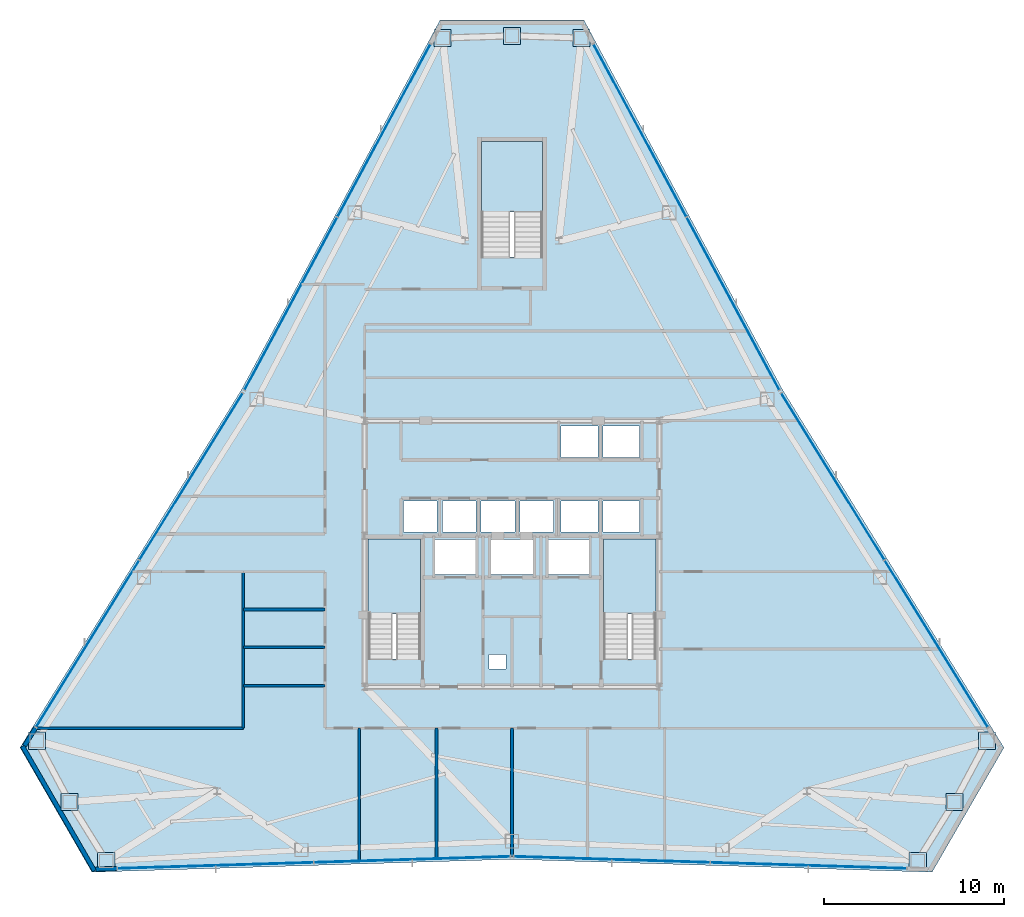
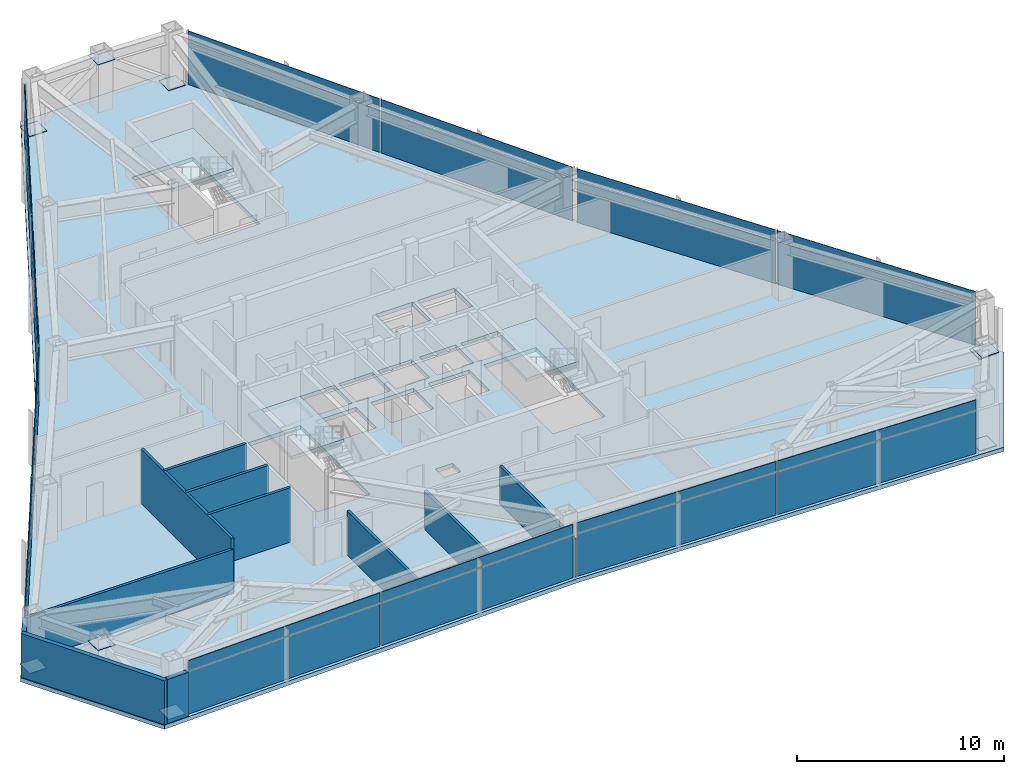
# One storey, part 9 of 13: 33 plates, 11 walls, 4 slabs, 9 elements without a shape of their own.
"""IFC4 building model written with IfcOpenShell, lengths in metres."""

from ifc_helpers import new_model, si_unit, direction, frame, frame_2d, origin, origin_2d, place, context, subcontext, project, spatial, polyline, rectangle, outline, extrude, source, transform, mapped, material, layer, layer_set, type_object, type_shapes, element, aggregate, save


model = new_model("IFC4")

# Units and contexts
model_context = context("Model", 3, precision=1e-05, world=origin(), true_north=direction((0.0, 1.0)))
body_context = subcontext(model_context, "Body", "Model", "MODEL_VIEW")
ifc_project = project(units=[si_unit("LENGTHUNIT", "METRE"), si_unit("AREAUNIT", "SQUARE_METRE"), si_unit("VOLUMEUNIT", "CUBIC_METRE"), si_unit("PLANEANGLEUNIT", "RADIAN"), si_unit("MASSUNIT", "GRAM", prefix="KILO")], contexts=[model_context])

# Site, building, storey
site_placement = place(None, origin())
site = spatial("IfcSite", under=ifc_project, at=site_placement, CompositionType="ELEMENT")
building_placement = place(site_placement, origin())
building = spatial("IfcBuilding", under=site, at=building_placement, Name="Varakhsha Concourse Tower", CompositionType="ELEMENT")
storey_placement = place(building_placement, frame((0.0, 0.0, 162.0)))
storey = spatial("IfcBuildingStorey", under=building, at=storey_placement, Name="L46", CompositionType="ELEMENT", Elevation=162.0)

# Slab
ifc_material_1 = material(Name="Concrete fc 45 MPa", Category="concrete")
ifc_layer_1 = layer(ifc_material_1, 0.239990234375, Name="SL-FLR-240")
ifc_layer_set_1 = layer_set([ifc_layer_1], Name="Concrete fc 45 MPa")
slab_type_1 = type_object("IfcSlabType", Name="SL-FLR-240", PredefinedType="FLOOR", material=ifc_layer_set_1)
slab_1_placement = place(storey_placement, frame((0.0, 0.0, -0.239990234375)))
element("IfcSlab", 1, at=slab_1_placement, inside=storey, type_object=slab_type_1, Name="L46 Composite Structural Slab", PredefinedType="FLOOR", context=body_context, shape_type="SweptSolid", body=[
    extrude(outline(polyline([(44.0, 53.49853515625), (36.0, 53.49853515625), (24.931396484375, 32.89990234375), (12.626708984375, 13.014892578125), (16.626708984375, 6.086669921875), (40.0, 6.80029296875), (63.373291015625, 6.086669921875), (67.373291015625, 13.014892578125), (55.068603515625, 32.89990234375), (44.0, 53.49853515625)]), holes=[polyline([(34.919921875, 17.93994140625), (34.919921875, 24.6298828125), (32.0, 24.6298828125), (32.0, 17.93994140625), (34.919921875, 17.93994140625)]), polyline([(48.02001953125, 17.93994140625), (48.02001953125, 24.6298828125), (45.10009765625, 24.6298828125), (45.10009765625, 17.93994140625), (48.02001953125, 17.93994140625)]), polyline([(41.699951171875, 40.300048828125), (41.699951171875, 46.75), (38.300048828125, 46.75), (38.300048828125, 40.300048828125), (41.699951171875, 40.300048828125)]), polyline([(33.9599609375, 25.0), (35.840087890625, 25.0), (35.840087890625, 26.739990234375), (33.9599609375, 26.739990234375), (33.9599609375, 25.0)]), polyline([(36.1201171875, 25.0), (38.0, 25.0), (38.0, 26.739990234375), (36.1201171875, 26.739990234375), (36.1201171875, 25.0)]), polyline([(38.280029296875, 25.0), (40.159912109375, 25.0), (40.159912109375, 26.739990234375), (38.280029296875, 26.739990234375), (38.280029296875, 25.0)]), polyline([(40.43994140625, 25.0), (42.320068359375, 25.0), (42.320068359375, 26.739990234375), (40.43994140625, 26.739990234375), (40.43994140625, 25.0)]), polyline([(42.739990234375, 29.159912109375), (44.780029296875, 29.159912109375), (44.780029296875, 30.89990234375), (42.739990234375, 30.89990234375), (42.739990234375, 29.159912109375)]), polyline([(45.06005859375, 29.159912109375), (47.10009765625, 29.159912109375), (47.10009765625, 30.89990234375), (45.06005859375, 30.89990234375), (45.06005859375, 29.159912109375)]), polyline([(42.739990234375, 25.0), (44.780029296875, 25.0), (44.780029296875, 26.739990234375), (42.739990234375, 26.739990234375), (42.739990234375, 25.0)]), polyline([(45.06005859375, 25.0), (47.10009765625, 25.0), (47.10009765625, 26.739990234375), (45.06005859375, 26.739990234375), (45.06005859375, 25.0)]), polyline([(35.7099609375, 22.639892578125), (37.989990234375, 22.639892578125), (37.989990234375, 24.60009765625), (35.7099609375, 24.60009765625), (35.7099609375, 22.639892578125)]), polyline([(42.010009765625, 22.639892578125), (44.2900390625, 22.639892578125), (44.2900390625, 24.60009765625), (42.010009765625, 24.60009765625), (42.010009765625, 22.639892578125)]), polyline([(38.81005859375, 22.639892578125), (41.18994140625, 22.639892578125), (41.18994140625, 24.60009765625), (38.81005859375, 24.60009765625), (38.81005859375, 22.639892578125)]), polyline([(38.719970703125, 17.39990234375), (39.679931640625, 17.39990234375), (39.679931640625, 18.199951171875), (38.719970703125, 18.199951171875), (38.719970703125, 17.39990234375)])]), origin(), (0.0, 0.0, 1.0), 0.239990234375),
])

# Stair, slab
stair_type_1 = type_object("IfcStairType", Name="ST-DOGLEG-1360", PredefinedType="HALF_TURN_STAIR", material=ifc_material_1)
stair_1_placement = place(storey_placement, origin())
stair_1 = element("IfcStair", 2, at=stair_1_placement, inside=storey, type_object=stair_type_1, Name="L46 Protected Exit Stair ST1", PredefinedType="HALF_TURN_STAIR")
ifc_layer_2 = layer(ifc_material_1, 0.199951171875, Name="SL-LAND-200")
ifc_layer_set_2 = layer_set([ifc_layer_2], Name="Concrete fc 45 MPa")
slab_type_2 = type_object("IfcSlabType", Name="SL-LAND-200", PredefinedType="LANDING", material=ifc_layer_set_2)
slab_2_placement = place(storey_placement, frame((0.0, 0.0, 1.52490234375)))
slab_2 = element("IfcSlab", 3, at=slab_2_placement, type_object=slab_type_2, Name="ST1 landing 1", PredefinedType="LANDING", context=body_context, shape_type="SweptSolid", body=[
    extrude(outline(polyline([(34.919921875, 20.4599609375), (34.919921875, 24.6298828125), (32.0, 24.6298828125), (32.0, 20.4599609375), (34.919921875, 20.4599609375)])), origin(), (0.0, 0.0, 1.0), 0.2001953125),
])
aggregate(stair_1, [slab_2])

stair_2_placement = place(storey_placement, origin())
stair_2 = element("IfcStair", 4, at=stair_2_placement, inside=storey, type_object=stair_type_1, Name="L46 Protected Exit Stair ST2", PredefinedType="HALF_TURN_STAIR")
slab_3_placement = place(storey_placement, frame((0.0, 0.0, 1.52490234375)))
slab_3 = element("IfcSlab", 5, at=slab_3_placement, type_object=slab_type_2, Name="ST2 landing 1", PredefinedType="LANDING", context=body_context, shape_type="SweptSolid", body=[
    extrude(outline(polyline([(48.02001953125, 20.4599609375), (48.02001953125, 24.6298828125), (45.10009765625, 24.6298828125), (45.10009765625, 20.4599609375), (48.02001953125, 20.4599609375)])), origin(), (0.0, 0.0, 1.0), 0.2001953125),
])
aggregate(stair_2, [slab_3])

stair_type_2 = type_object("IfcStairType", Name="ST-DOGLEG-1600", PredefinedType="HALF_TURN_STAIR", material=ifc_material_1)
stair_3_placement = place(storey_placement, origin())
stair_3 = element("IfcStair", 6, at=stair_3_placement, inside=storey, type_object=stair_type_2, Name="L46 Protected Exit Stair ST5", PredefinedType="HALF_TURN_STAIR")
slab_4_placement = place(storey_placement, frame((0.0, 0.0, 1.52490234375)))
slab_4 = element("IfcSlab", 7, at=slab_4_placement, type_object=slab_type_2, Name="ST5 landing 1", PredefinedType="LANDING", context=body_context, shape_type="SweptSolid", body=[
    extrude(outline(polyline([(41.699951171875, 42.820068359375), (41.699951171875, 46.75), (38.300048828125, 46.75), (38.300048828125, 42.820068359375), (41.699951171875, 42.820068359375)])), origin(), (0.0, 0.0, 1.0), 0.2001953125),
])
aggregate(stair_3, [slab_4])

# Plates
ifc_material_2 = material(Name="Structural Steel ASTM A572 Grade 50", Category="steel")
ifc_layer_3 = layer(ifc_material_2, 0.030029296875, Name="PL-ENDCAP-950")
ifc_layer_set_3 = layer_set([ifc_layer_3], Name="Structural Steel ASTM A572 Grade 50")
plate_type_1 = type_object("IfcPlateType", Name="PL-ENDCAP-950", PredefinedType="USERDEFINED", material=ifc_layer_set_3)
shared_shape_1 = source(origin(), body_context, "Body", "SweptSolid", [
    extrude(rectangle(XDim=0.949951171875, YDim=0.949951171875, at=origin_2d()), origin(), (0.0, 0.0, 1.0), 0.030029296875),
])
type_shapes(plate_type_1, [shared_shape_1])
for number, where, z_axis, x_axis, name in (
    (8, (43.863037109375, 52.495849609375, 0.10498046875), (0.0, 0.0, 1.0), (1.0, 0.0, 0.0), "Hollow Section End Cap GP-NODE-L46-0475"),
    (9, (40.0, 52.618408203125, 2.89501953125), (0.0, 0.0, 1.0), (1.0, 0.0, 0.0), "Hollow Section End Cap GP-NODE-L46-0476"),
    (10, (36.136962890625, 52.495849609375, 0.10498046875), (0.0, 0.0, 1.0), (1.0, 0.0, 0.0), "Hollow Section End Cap GP-NODE-L46-0477"),
    (11, (13.563720703125, 13.397705078125, 0.10498046875), (0.0, 0.0, 1.0), (1.0, 0.0, 0.0), "Hollow Section End Cap GP-NODE-L46-0478"),
    (12, (15.388916015625, 9.99072265625, 2.89501953125), (0.0, 0.0, 1.0), (1.0, 0.0, 0.0), "Hollow Section End Cap GP-NODE-L46-0479"),
    (13, (17.4267578125, 6.70654296875, 0.10498046875), (0.0, 0.0, 1.0), (1.0, 0.0, 0.0), "Hollow Section End Cap GP-NODE-L46-0480"),
    (14, (62.5732421875, 6.70654296875, 0.10498046875), (0.0, 0.0, 1.0), (1.0, 0.0, 0.0), "Hollow Section End Cap GP-NODE-L46-0481"),
    (15, (64.611083984375, 9.99072265625, 2.89501953125), (0.0, 0.0, 1.0), (1.0, 0.0, 0.0), "Hollow Section End Cap GP-NODE-L46-0482"),
    (16, (66.436279296875, 13.397705078125, 0.10498046875), (0.0, 0.0, 1.0), (1.0, 0.0, 0.0), "Hollow Section End Cap GP-NODE-L46-0483"),
):
    element("IfcPlate", number, at=place(storey_placement, frame(where, z_axis=z_axis, x_axis=x_axis)), inside=storey, type_object=plate_type_1, Name=name, ObjectType="END PLATE", PredefinedType="USERDEFINED", context=body_context, shape_type="MappedRepresentation", body=[
        mapped(shared_shape_1, transform((0.0, 0.0, 0.0), scale=1.0)),
    ])

# Curtain wall, plates
ifc_material_3 = material(Name="Anodised Bronze Architectural Aluminium AA 6063-T6", Category="aluminium")
ifc_layer_4 = layer(ifc_material_3, 0.2099609375, Name="CW-SYS-04")
ifc_layer_set_4 = layer_set([ifc_layer_4], Name="Anodised Bronze Architectural Aluminium AA 6063-T6")
curtain_wall_type = type_object("IfcCurtainWallType", Name="CW-SYS-04", PredefinedType="NOTDEFINED", material=ifc_layer_set_4)
curtain_wall_1_placement = place(storey_placement, origin())
curtain_wall_1 = element("IfcCurtainWall", 17, at=curtain_wall_1_placement, inside=storey, type_object=curtain_wall_type, Name="L46 Crystal Curtain Wall F2", PredefinedType="NOTDEFINED")
ifc_material_4 = material(Name="Low-E Triple Insulating Glass IGU 44 mm", Category="glass")
ifc_layer_5 = layer(ifc_material_4, 0.0439453125, Name="CWP-IGU-44")
ifc_layer_set_5 = layer_set([ifc_layer_5], Name="Low-E Triple Insulating Glass IGU 44 mm")
plate_type_2 = type_object("IfcPlateType", Name="CWP-IGU-44", PredefinedType="CURTAIN_PANEL", material=ifc_layer_set_5)
shared_shape_2 = source(origin(), body_context, "Body", "SweptSolid", [
    extrude(rectangle(XDim=10.873046875, YDim=0.0439453125, at=origin_2d()), origin(), (0.0, 0.0, 1.0), 2.49609375),
])
type_shapes(plate_type_2, [shared_shape_2])
plate_1_placement = place(storey_placement, frame((27.69970703125, 37.7138671875, 0.031982421875), z_axis=(0.0, 0.0, 1.0), x_axis=(0.473336578986, 0.880881650958, 0.0)))
plate_1 = element("IfcPlate", 18, at=plate_1_placement, type_object=plate_type_2, Name="CW-L46-F2 Panel 00-00", PredefinedType="CURTAIN_PANEL", context=body_context, shape_type="MappedRepresentation", body=[
    mapped(shared_shape_2, transform((0.0, 0.0, 0.0), scale=1.0)),
])
plate_2_placement = place(storey_placement, frame((32.879150390625, 47.3525390625, 0.031982421875), z_axis=(0.0, 0.0, 1.0), x_axis=(0.473336578986, 0.880881650958, 0.0)))
plate_2 = element("IfcPlate", 19, at=plate_2_placement, type_object=plate_type_2, Name="CW-L46-F2 Panel 01-00", PredefinedType="CURTAIN_PANEL", context=body_context, shape_type="MappedRepresentation", body=[
    mapped(shared_shape_2, transform((0.0, 0.0, 0.0), scale=1.0)),
])

curtain_wall_2_placement = place(storey_placement, origin())
curtain_wall_2 = element("IfcCurtainWall", 20, at=curtain_wall_2_placement, inside=storey, type_object=curtain_wall_type, Name="L46 Crystal Curtain Wall F3", PredefinedType="NOTDEFINED")
plate_3_placement = place(storey_placement, frame((16.388916015625, 18.79052734375, 0.031982421875), z_axis=(0.0, 0.0, 1.0), x_axis=(0.526199082126, 0.850361409032, 0.0)))
plate_3 = element("IfcPlate", 21, at=plate_3_placement, type_object=plate_type_2, Name="CW-L46-F3 Panel 00-00", PredefinedType="CURTAIN_PANEL", context=body_context, shape_type="MappedRepresentation", body=[
    mapped(shared_shape_2, transform((0.0, 0.0, 0.0), scale=1.0)),
])
plate_4_placement = place(storey_placement, frame((22.146484375, 28.09521484375, 0.031982421875), z_axis=(0.0, 0.0, 1.0), x_axis=(0.526199082126, 0.850361409032, 0.0)))
plate_4 = element("IfcPlate", 22, at=plate_4_placement, type_object=plate_type_2, Name="CW-L46-F3 Panel 01-00", PredefinedType="CURTAIN_PANEL", context=body_context, shape_type="MappedRepresentation", body=[
    mapped(shared_shape_2, transform((0.0, 0.0, 0.0), scale=1.0)),
])

curtain_wall_3_placement = place(storey_placement, origin())
curtain_wall_3 = element("IfcCurtainWall", 23, at=curtain_wall_3_placement, inside=storey, type_object=curtain_wall_type, Name="L46 Crystal Curtain Wall F5", PredefinedType="NOTDEFINED")
plate_5_placement = place(storey_placement, frame((34.44677734375, 6.790771484375, 0.031982421875), z_axis=(0.0, 0.0, 1.0), x_axis=(-0.999534017137, -0.030524557085, 0.0)))
plate_5 = element("IfcPlate", 24, at=plate_5_placement, type_object=plate_type_2, Name="CW-L46-F5 Panel 00-00", PredefinedType="CURTAIN_PANEL", context=body_context, shape_type="MappedRepresentation", body=[
    mapped(shared_shape_2, transform((0.0, 0.0, 0.0), scale=1.0)),
])
plate_6_placement = place(storey_placement, frame((23.509765625, 6.456787109375, 0.031982421875), z_axis=(0.0, 0.0, 1.0), x_axis=(-0.999534017137, -0.030524557085, 0.0)))
plate_6 = element("IfcPlate", 25, at=plate_6_placement, type_object=plate_type_2, Name="CW-L46-F5 Panel 01-00", PredefinedType="CURTAIN_PANEL", context=body_context, shape_type="MappedRepresentation", body=[
    mapped(shared_shape_2, transform((0.0, 0.0, 0.0), scale=1.0)),
])

curtain_wall_4_placement = place(storey_placement, origin())
curtain_wall_4 = element("IfcCurtainWall", 26, at=curtain_wall_4_placement, inside=storey, type_object=curtain_wall_type, Name="L46 Crystal Curtain Wall F6", PredefinedType="NOTDEFINED")
plate_7_placement = place(storey_placement, frame((56.490234375, 6.456787109375, 0.031982421875), z_axis=(0.0, 0.0, 1.0), x_axis=(-0.999534017137, 0.030524557085, 0.0)))
plate_7 = element("IfcPlate", 27, at=plate_7_placement, type_object=plate_type_2, Name="CW-L46-F6 Panel 00-00", PredefinedType="CURTAIN_PANEL", context=body_context, shape_type="MappedRepresentation", body=[
    mapped(shared_shape_2, transform((0.0, 0.0, 0.0), scale=1.0)),
])
plate_8_placement = place(storey_placement, frame((45.55322265625, 6.790771484375, 0.031982421875), z_axis=(0.0, 0.0, 1.0), x_axis=(-0.999534017137, 0.030524557085, 0.0)))
plate_8 = element("IfcPlate", 28, at=plate_8_placement, type_object=plate_type_2, Name="CW-L46-F6 Panel 01-00", PredefinedType="CURTAIN_PANEL", context=body_context, shape_type="MappedRepresentation", body=[
    mapped(shared_shape_2, transform((0.0, 0.0, 0.0), scale=1.0)),
])

curtain_wall_5_placement = place(storey_placement, origin())
curtain_wall_5 = element("IfcCurtainWall", 29, at=curtain_wall_5_placement, inside=storey, type_object=curtain_wall_type, Name="L46 Crystal Curtain Wall F8", PredefinedType="NOTDEFINED")
plate_9_placement = place(storey_placement, frame((57.853515625, 28.09521484375, 0.031982421875), z_axis=(0.0, 0.0, 1.0), x_axis=(0.526199082126, -0.850361409032, 0.0)))
plate_9 = element("IfcPlate", 30, at=plate_9_placement, type_object=plate_type_2, Name="CW-L46-F8 Panel 00-00", PredefinedType="CURTAIN_PANEL", context=body_context, shape_type="MappedRepresentation", body=[
    mapped(shared_shape_2, transform((0.0, 0.0, 0.0), scale=1.0)),
])
plate_10_placement = place(storey_placement, frame((63.611083984375, 18.79052734375, 0.031982421875), z_axis=(0.0, 0.0, 1.0), x_axis=(0.526199082126, -0.850361409032, 0.0)))
plate_10 = element("IfcPlate", 31, at=plate_10_placement, type_object=plate_type_2, Name="CW-L46-F8 Panel 01-00", PredefinedType="CURTAIN_PANEL", context=body_context, shape_type="MappedRepresentation", body=[
    mapped(shared_shape_2, transform((0.0, 0.0, 0.0), scale=1.0)),
])

curtain_wall_6_placement = place(storey_placement, origin())
curtain_wall_6 = element("IfcCurtainWall", 32, at=curtain_wall_6_placement, inside=storey, type_object=curtain_wall_type, Name="L46 Crystal Curtain Wall F9", PredefinedType="NOTDEFINED")
plate_11_placement = place(storey_placement, frame((47.120849609375, 47.3525390625, 0.031982421875), z_axis=(0.0, 0.0, 1.0), x_axis=(0.473336578986, -0.880881650958, 0.0)))
plate_11 = element("IfcPlate", 33, at=plate_11_placement, type_object=plate_type_2, Name="CW-L46-F9 Panel 00-00", PredefinedType="CURTAIN_PANEL", context=body_context, shape_type="MappedRepresentation", body=[
    mapped(shared_shape_2, transform((0.0, 0.0, 0.0), scale=1.0)),
])
plate_12_placement = place(storey_placement, frame((52.300048828125, 37.7138671875, 0.031982421875), z_axis=(0.0, 0.0, 1.0), x_axis=(0.473336578986, -0.880881650958, 0.0)))
plate_12 = element("IfcPlate", 34, at=plate_12_placement, type_object=plate_type_2, Name="CW-L46-F9 Panel 01-00", PredefinedType="CURTAIN_PANEL", context=body_context, shape_type="MappedRepresentation", body=[
    mapped(shared_shape_2, transform((0.0, 0.0, 0.0), scale=1.0)),
])

# Plate
ifc_material_5 = material(Name="Insulated Anodised Bronze Aluminium Spandrel 36 mm", Category="aluminium")
ifc_layer_6 = layer(ifc_material_5, 0.035888671875, Name="CWP-SPN-36")
ifc_layer_set_6 = layer_set([ifc_layer_6], Name="Insulated Anodised Bronze Aluminium Spandrel 36 mm")
plate_type_3 = type_object("IfcPlateType", Name="CWP-SPN-36", PredefinedType="USERDEFINED", material=ifc_layer_set_6)
shared_shape_3 = source(origin(), body_context, "Body", "SweptSolid", [
    extrude(rectangle(XDim=10.873046875, YDim=0.035888671875, at=origin_2d()), origin(), (0.0, 0.0, 1.0), 0.5859375),
])
type_shapes(plate_type_3, [shared_shape_3])
plate_13_placement = place(storey_placement, frame((27.69970703125, 37.7138671875, 2.592041015625), z_axis=(0.0, 0.0, 1.0), x_axis=(0.473336578986, 0.880881650958, 0.0)))
plate_13 = element("IfcPlate", 35, at=plate_13_placement, type_object=plate_type_3, Name="CW-L46-F2 Panel 00-01", ObjectType="SPANDREL", PredefinedType="USERDEFINED", context=body_context, shape_type="MappedRepresentation", body=[
    mapped(shared_shape_3, transform((0.0, 0.0, 0.0), scale=1.0)),
])

plate_14_placement = place(storey_placement, frame((32.879150390625, 47.3525390625, 2.592041015625), z_axis=(0.0, 0.0, 1.0), x_axis=(0.473336578986, 0.880881650958, 0.0)))
plate_14 = element("IfcPlate", 36, at=plate_14_placement, type_object=plate_type_3, Name="CW-L46-F2 Panel 01-01", ObjectType="SPANDREL", PredefinedType="USERDEFINED", context=body_context, shape_type="MappedRepresentation", body=[
    mapped(shared_shape_3, transform((0.0, 0.0, 0.0), scale=1.0)),
])

aggregate(curtain_wall_1, [plate_1, plate_13, plate_2, plate_14])

plate_15_placement = place(storey_placement, frame((16.388916015625, 18.79052734375, 2.592041015625), z_axis=(0.0, 0.0, 1.0), x_axis=(0.526199082126, 0.850361409032, 0.0)))
plate_15 = element("IfcPlate", 37, at=plate_15_placement, type_object=plate_type_3, Name="CW-L46-F3 Panel 00-01", ObjectType="SPANDREL", PredefinedType="USERDEFINED", context=body_context, shape_type="MappedRepresentation", body=[
    mapped(shared_shape_3, transform((0.0, 0.0, 0.0), scale=1.0)),
])

plate_16_placement = place(storey_placement, frame((22.146484375, 28.09521484375, 2.592041015625), z_axis=(0.0, 0.0, 1.0), x_axis=(0.526199082126, 0.850361409032, 0.0)))
plate_16 = element("IfcPlate", 38, at=plate_16_placement, type_object=plate_type_3, Name="CW-L46-F3 Panel 01-01", ObjectType="SPANDREL", PredefinedType="USERDEFINED", context=body_context, shape_type="MappedRepresentation", body=[
    mapped(shared_shape_3, transform((0.0, 0.0, 0.0), scale=1.0)),
])

aggregate(curtain_wall_2, [plate_3, plate_15, plate_4, plate_16])

plate_17_placement = place(storey_placement, frame((34.44677734375, 6.790771484375, 2.592041015625), z_axis=(0.0, 0.0, 1.0), x_axis=(-0.999534017137, -0.030524557085, 0.0)))
plate_17 = element("IfcPlate", 39, at=plate_17_placement, type_object=plate_type_3, Name="CW-L46-F5 Panel 00-01", ObjectType="SPANDREL", PredefinedType="USERDEFINED", context=body_context, shape_type="MappedRepresentation", body=[
    mapped(shared_shape_3, transform((0.0, 0.0, 0.0), scale=1.0)),
])

plate_18_placement = place(storey_placement, frame((23.509765625, 6.456787109375, 2.592041015625), z_axis=(0.0, 0.0, 1.0), x_axis=(-0.999534017137, -0.030524557085, 0.0)))
plate_18 = element("IfcPlate", 40, at=plate_18_placement, type_object=plate_type_3, Name="CW-L46-F5 Panel 01-01", ObjectType="SPANDREL", PredefinedType="USERDEFINED", context=body_context, shape_type="MappedRepresentation", body=[
    mapped(shared_shape_3, transform((0.0, 0.0, 0.0), scale=1.0)),
])

aggregate(curtain_wall_3, [plate_5, plate_17, plate_6, plate_18])

plate_19_placement = place(storey_placement, frame((56.490234375, 6.456787109375, 2.592041015625), z_axis=(0.0, 0.0, 1.0), x_axis=(-0.999534017137, 0.030524557085, 0.0)))
plate_19 = element("IfcPlate", 41, at=plate_19_placement, type_object=plate_type_3, Name="CW-L46-F6 Panel 00-01", ObjectType="SPANDREL", PredefinedType="USERDEFINED", context=body_context, shape_type="MappedRepresentation", body=[
    mapped(shared_shape_3, transform((0.0, 0.0, 0.0), scale=1.0)),
])

plate_20_placement = place(storey_placement, frame((45.55322265625, 6.790771484375, 2.592041015625), z_axis=(0.0, 0.0, 1.0), x_axis=(-0.999534017137, 0.030524557085, 0.0)))
plate_20 = element("IfcPlate", 42, at=plate_20_placement, type_object=plate_type_3, Name="CW-L46-F6 Panel 01-01", ObjectType="SPANDREL", PredefinedType="USERDEFINED", context=body_context, shape_type="MappedRepresentation", body=[
    mapped(shared_shape_3, transform((0.0, 0.0, 0.0), scale=1.0)),
])

aggregate(curtain_wall_4, [plate_7, plate_19, plate_8, plate_20])

plate_21_placement = place(storey_placement, frame((57.853515625, 28.09521484375, 2.592041015625), z_axis=(0.0, 0.0, 1.0), x_axis=(0.526199082126, -0.850361409032, 0.0)))
plate_21 = element("IfcPlate", 43, at=plate_21_placement, type_object=plate_type_3, Name="CW-L46-F8 Panel 00-01", ObjectType="SPANDREL", PredefinedType="USERDEFINED", context=body_context, shape_type="MappedRepresentation", body=[
    mapped(shared_shape_3, transform((0.0, 0.0, 0.0), scale=1.0)),
])

plate_22_placement = place(storey_placement, frame((63.611083984375, 18.79052734375, 2.592041015625), z_axis=(0.0, 0.0, 1.0), x_axis=(0.526199082126, -0.850361409032, 0.0)))
plate_22 = element("IfcPlate", 44, at=plate_22_placement, type_object=plate_type_3, Name="CW-L46-F8 Panel 01-01", ObjectType="SPANDREL", PredefinedType="USERDEFINED", context=body_context, shape_type="MappedRepresentation", body=[
    mapped(shared_shape_3, transform((0.0, 0.0, 0.0), scale=1.0)),
])

aggregate(curtain_wall_5, [plate_9, plate_21, plate_10, plate_22])

plate_23_placement = place(storey_placement, frame((47.120849609375, 47.3525390625, 2.592041015625), z_axis=(0.0, 0.0, 1.0), x_axis=(0.473336578986, -0.880881650958, 0.0)))
plate_23 = element("IfcPlate", 45, at=plate_23_placement, type_object=plate_type_3, Name="CW-L46-F9 Panel 00-01", ObjectType="SPANDREL", PredefinedType="USERDEFINED", context=body_context, shape_type="MappedRepresentation", body=[
    mapped(shared_shape_3, transform((0.0, 0.0, 0.0), scale=1.0)),
])

plate_24_placement = place(storey_placement, frame((52.300048828125, 37.7138671875, 2.592041015625), z_axis=(0.0, 0.0, 1.0), x_axis=(0.473336578986, -0.880881650958, 0.0)))
plate_24 = element("IfcPlate", 46, at=plate_24_placement, type_object=plate_type_3, Name="CW-L46-F9 Panel 01-01", ObjectType="SPANDREL", PredefinedType="USERDEFINED", context=body_context, shape_type="MappedRepresentation", body=[
    mapped(shared_shape_3, transform((0.0, 0.0, 0.0), scale=1.0)),
])

aggregate(curtain_wall_6, [plate_11, plate_23, plate_12, plate_24])

# Walls
ifc_layer_7 = layer(ifc_material_1, 0.239990234375, Name="WL-EXT-CRN-240")
ifc_layer_set_7 = layer_set([ifc_layer_7], Name="Concrete fc 45 MPa")
wall_type_1 = type_object("IfcWallType", Name="WL-EXT-CRN-240", PredefinedType="SHEAR", material=ifc_layer_set_7)
wall_1_placement = place(storey_placement, frame((13.492919921875, 14.110595703125, 0.0), z_axis=(0.0, 0.0, 1.0), x_axis=(-0.526196207656, -0.850363187731, 0.0)))
element("IfcWall", 47, at=wall_1_placement, inside=storey, type_object=wall_type_1, Name="L46 Wind-Corner Shoulder Wall F3", PredefinedType="SHEAR", context=body_context, shape_type="SweptSolid", body=[
    extrude(rectangle(XDim=1.167236328125, YDim=0.239990234375, at=frame_2d((0.58349609375, 0.0))), origin(), (0.0, 0.0, 1.0), 2.5830078125),
])
wall_2_placement = place(storey_placement, frame((16.765380859375, 6.16650390625, 0.0), z_axis=(0.0, 0.0, 1.0), x_axis=(-0.499985734379, 0.866033639888, 0.0)))
element("IfcWall", 48, at=wall_2_placement, inside=storey, type_object=wall_type_1, Name="L46 Chamfer Wind-Corner Insulated Wall F4", PredefinedType="SHEAR", context=body_context, shape_type="SweptSolid", body=[
    extrude(rectangle(XDim=8.000244140625, YDim=0.239990234375, at=frame_2d((4.0, 0.0))), origin(), (0.0, 0.0, 1.0), 2.5830078125),
])
wall_3_placement = place(storey_placement, frame((16.841796875, 6.253173828125, 0.0), z_axis=(0.0, 0.0, 1.0), x_axis=(0.999533860209, 0.030529695312, 0.0)))
element("IfcWall", 49, at=wall_3_placement, inside=storey, type_object=wall_type_1, Name="L46 Wind-Corner Shoulder Wall F5", PredefinedType="SHEAR", context=body_context, shape_type="SweptSolid", body=[
    extrude(rectangle(XDim=1.16748046875, YDim=0.239990234375, at=frame_2d((0.583740234375, 0.0))), origin(), (0.0, 0.0, 1.0), 2.5830078125),
])
ifc_material_6 = material(Name="Fire-Rated Type X Gypsum Partition Assembly", Category="gypsum")
ifc_layer_8 = layer(ifc_material_6, 0.14990234375, Name="WL-PART-150")
ifc_layer_set_8 = layer_set([ifc_layer_8], Name="Fire-Rated Type X Gypsum Partition Assembly")
wall_type_2 = type_object("IfcWallType", Name="WL-PART-150", PredefinedType="PARTITIONING", material=ifc_layer_set_8)
wall_4_placement = place(storey_placement, frame((25.050048828125, 14.10009765625, 0.0), z_axis=(0.0, 0.0, 1.0), x_axis=(0.0, 1.0, 0.0)))
element("IfcWall", 50, at=wall_4_placement, inside=storey, type_object=wall_type_2, Name="L46 Wall C2WC-W-L46", PredefinedType="PARTITIONING", context=body_context, shape_type="SweptSolid", body=[
    extrude(rectangle(XDim=8.699951171875, YDim=0.14990234375, at=frame_2d((4.35009765625, 0.0))), origin(), (0.0, 0.0, 1.0), 3.2099609375),
])
for number, where, z_axis, x_axis, name in (
    (51, (25.050048828125, 16.449951171875, 0.0), (0.0, 0.0, 1.0), (1.0, 0.0, 0.0), "L46 Wall C2WC-S-L46"),
    (52, (25.050048828125, 18.60009765625, 0.0), (0.0, 0.0, 1.0), (1.0, 0.0, 0.0), "L46 Wall C2WC-D1-L46"),
    (53, (25.050048828125, 20.699951171875, 0.0), (0.0, 0.0, 1.0), (1.0, 0.0, 0.0), "L46 Wall C2WC-D2-L46"),
):
    element("IfcWall", number, at=place(storey_placement, frame(where, z_axis=z_axis, x_axis=x_axis)), inside=storey, type_object=wall_type_2, Name=name, PredefinedType="PARTITIONING", context=body_context, shape_type="SweptSolid", body=[
        extrude(rectangle(XDim=4.550048828125, YDim=0.14990234375, at=frame_2d((2.27490234375, 0.0))), origin(), (0.0, 0.0, 1.0), 3.2099609375),
    ])
wall_5_placement = place(storey_placement, frame((31.5, 6.705810546875, 0.0), z_axis=(0.0, 0.0, 1.0), x_axis=(0.0, 1.0, 0.0)))
element("IfcWall", 54, at=wall_5_placement, inside=storey, type_object=wall_type_2, Name="L46 Wall ODIV-S1-L46", PredefinedType="PARTITIONING", context=body_context, shape_type="SweptSolid", body=[
    extrude(rectangle(XDim=7.394287109375, YDim=0.14990234375, at=frame_2d((3.697265625, 0.0))), origin(), (0.0, 0.0, 1.0), 2.589111328125),
])
wall_6_placement = place(storey_placement, frame((35.800048828125, 6.837158203125, 0.0), z_axis=(0.0, 0.0, 1.0), x_axis=(0.0, 1.0, 0.0)))
element("IfcWall", 55, at=wall_6_placement, inside=storey, type_object=wall_type_2, Name="L46 Wall ODIV-S2-L46", PredefinedType="PARTITIONING", context=body_context, shape_type="SweptSolid", body=[
    extrude(rectangle(XDim=7.262939453125, YDim=0.14990234375, at=frame_2d((3.63134765625, 0.0))), origin(), (0.0, 0.0, 1.0), 2.251953125),
])
wall_7_placement = place(storey_placement, frame((40.0, 6.965087890625, 0.0), z_axis=(0.0, 0.0, 1.0), x_axis=(0.0, 1.0, 0.0)))
element("IfcWall", 56, at=wall_7_placement, inside=storey, type_object=wall_type_2, Name="L46 Wall ODIV-S3-L46", PredefinedType="PARTITIONING", context=body_context, shape_type="SweptSolid", body=[
    extrude(rectangle(XDim=7.135009765625, YDim=0.14990234375, at=frame_2d((3.5673828125, 0.0))), origin(), (0.0, 0.0, 1.0), 2.251953125),
])
wall_8_placement = place(storey_placement, frame((13.4921875, 14.10009765625, 0.0), z_axis=(0.0, 0.0, 1.0), x_axis=(1.0, 0.0, 0.0)))
element("IfcWall", 57, at=wall_8_placement, inside=storey, type_object=wall_type_2, Name="L46 Wall ODIV-SWB-L46", PredefinedType="PARTITIONING", context=body_context, shape_type="SweptSolid", body=[
    extrude(rectangle(XDim=11.557861328125, YDim=0.14990234375, at=frame_2d((5.77880859375, 0.0))), origin(), (0.0, 0.0, 1.0), 2.589111328125),
])

save(model, "model.ifc")
